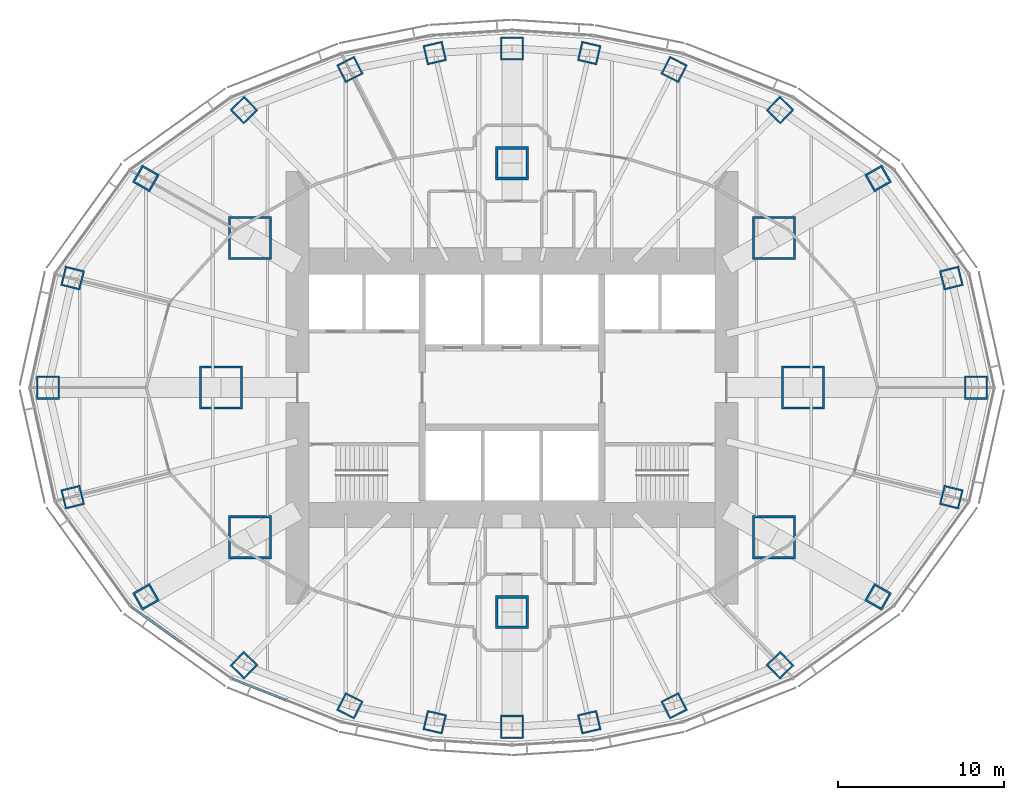
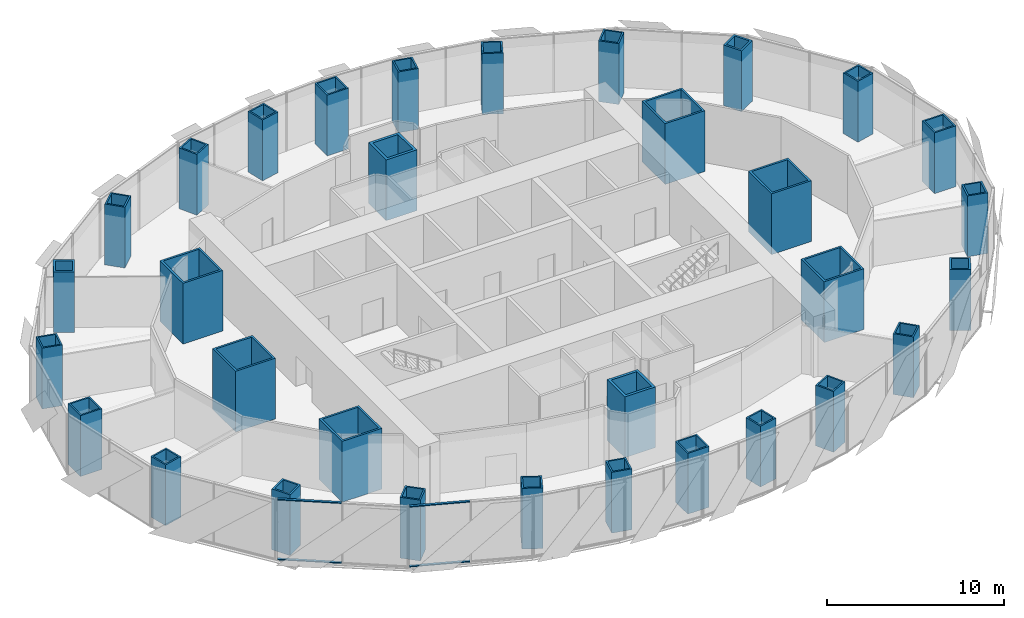
# One storey, part 1 of 17: 32 columns, 4 members, 2 elements without a shape of their own.
"""IFC4 building model written with IfcOpenShell, lengths in metres."""

import ifcopenshell
import ifcopenshell.guid

model = None  # the IFC model being written
_history = None  # IfcOwnerHistory: only IFC2X3 demands one
_inside = {}  # id of a spatial element -> (the spatial element, [elements in it])
_under = {}  # id of a project, library or spatial element -> (it, [spatial elements below it])
_declared = {}  # id of a project -> (the project, [libraries it declares])
_typed = {}  # id of a type object -> (the type object, [elements of that type])
_made_of = {}  # id of a material, layer set ... -> (it, [elements and type objects made of it])


def new_model(schema):
    """Start an empty IFC model of exactly this schema.

    Asked for "IFC4X3", IfcOpenShell would pick the latest addendum, in which some entities
    have other attributes; the version numbers below select the first issue.
    IFC2X3 requires an IfcOwnerHistory on every rooted entity: one is made here for all.
    """
    global model, _history
    if schema == "IFC4X3":
        model = ifcopenshell.file(schema_version=(4, 3, 0, 0))
    else:
        model = ifcopenshell.file(schema=schema)
    _inside.clear()
    _under.clear()
    _declared.clear()
    _typed.clear()
    _made_of.clear()
    _history = None
    if model.schema == "IFC2X3":
        org = make("IfcOrganization", Name="unknown")
        user = make(
            "IfcPersonAndOrganization",
            ThePerson=make("IfcPerson", FamilyName="unknown"),
            TheOrganization=org,
        )
        app = make(
            "IfcApplication",
            ApplicationDeveloper=org,
            Version="unknown",
            ApplicationFullName="unknown",
            ApplicationIdentifier="unknown",
        )
        _history = make(
            "IfcOwnerHistory",
            OwningUser=user,
            OwningApplication=app,
            ChangeAction="ADDED",
            CreationDate=0,
        )
    return model


def make(cls, **values):
    """One entity of the class cls with the attributes given. An attribute that is None is left unset."""
    return model.create_entity(
        cls, **{name: value for name, value in values.items() if value is not None}
    )


def rooted(cls, **values):
    """An entity with a GlobalId (a new one), such as an element, a storey or a relation."""
    return make(cls, GlobalId=ifcopenshell.guid.new(), OwnerHistory=_history, **values)


def si_unit(unit_type, name, prefix=None):
    """IfcSIUnit, for example si_unit("LENGTHUNIT", "METRE", prefix="MILLI")."""
    return make("IfcSIUnit", UnitType=unit_type, Prefix=prefix, Name=name)


def assignment(units):
    """IfcUnitAssignment: the units of a project."""
    return None if units is None else make("IfcUnitAssignment", Units=units)


def point(xyz):
    """IfcCartesianPoint."""
    return None if xyz is None else make("IfcCartesianPoint", Coordinates=xyz)


def direction(xyz):
    """IfcDirection."""
    return None if xyz is None else make("IfcDirection", DirectionRatios=xyz)


def frame(location, z_axis=None, x_axis=None):
    """IfcAxis2Placement3D, a coordinate frame: its origin and axes. An axis left out is left unset."""
    return make(
        "IfcAxis2Placement3D",
        Location=point(location),
        Axis=direction(z_axis),
        RefDirection=direction(x_axis),
    )


def frame_2d(location, x_axis=None):
    """IfcAxis2Placement2D, a coordinate frame in the plane: its origin and x axis."""
    return make(
        "IfcAxis2Placement2D", Location=point(location), RefDirection=direction(x_axis)
    )


def origin():
    """The frame at (0, 0, 0) with its axes left unset."""
    return frame((0.0, 0.0, 0.0))


def origin_2d():
    """The frame at (0, 0) in the plane with its x axis left unset."""
    return frame_2d((0.0, 0.0))


def place(relative_to, where):
    """IfcLocalPlacement: puts the frame where relative to a parent placement (None: the world)."""
    return make(
        "IfcLocalPlacement", PlacementRelTo=relative_to, RelativePlacement=where
    )


def context(
    kind, dimensions, precision=None, world=None, true_north=None, identifier=None
):
    """IfcGeometricRepresentationContext, for example the 3D "Model" context."""
    return make(
        "IfcGeometricRepresentationContext",
        ContextIdentifier=identifier,
        ContextType=kind,
        CoordinateSpaceDimension=dimensions,
        Precision=precision,
        WorldCoordinateSystem=world,
        TrueNorth=true_north,
    )


def subcontext(parent, identifier, kind, view, scale=None):
    """IfcGeometricRepresentationSubContext, for example "Body" below "Model"."""
    return make(
        "IfcGeometricRepresentationSubContext",
        ContextIdentifier=identifier,
        ContextType=kind,
        ParentContext=parent,
        TargetScale=scale,
        TargetView=view,
    )


def project(units=None, contexts=None):
    """IfcProject with its units and contexts."""
    return rooted(
        "IfcProject",
        Name="project",
        RepresentationContexts=contexts,
        UnitsInContext=assignment(units),
    )


def spatial(cls, under=None, at=None, **own):
    """A site, building, storey or space (cls), placed at a placement, below another one or the project."""
    s = rooted(cls, ObjectPlacement=at, **own)
    if under is not None:
        _under.setdefault(under.id(), (under, []))[1].append(s)
    return s


def profile(cls, at=None, kind="AREA", **sizes):
    """A parametric profile (cls). Its sizes go by their IFC names, for example OverallWidth=200.0."""
    return make(cls, ProfileType=kind, Position=at, **sizes)


def rectangle(**sizes):
    """IfcRectangleProfileDef."""
    return profile("IfcRectangleProfileDef", **sizes)


def hollow_rectangle(**sizes):
    """IfcRectangleHollowProfileDef."""
    return profile("IfcRectangleHollowProfileDef", **sizes)


def extrude(swept, where, along, depth):
    """IfcExtrudedAreaSolid: the profile swept, set in the frame where, extruded along a direction by depth."""
    return make(
        "IfcExtrudedAreaSolid",
        SweptArea=swept,
        Position=where,
        ExtrudedDirection=direction(along),
        Depth=depth,
    )


def shape(context_of_items, identifier, shape_type, items):
    """IfcShapeRepresentation: the items that make up one representation, for example the "Body"."""
    return make(
        "IfcShapeRepresentation",
        ContextOfItems=context_of_items,
        RepresentationIdentifier=identifier,
        RepresentationType=shape_type,
        Items=items,
    )


def material(Name=None, Category=None):
    """IfcMaterial."""
    return make("IfcMaterial", Name=Name, Category=Category)


def material_profile(
    of_material, cross_section, Name=None, Category=None, Priority=None
):
    """IfcMaterialProfile: a cross section and its material."""
    return make(
        "IfcMaterialProfile",
        Name=Name,
        Material=of_material,
        Profile=cross_section,
        Priority=Priority,
        Category=Category,
    )


def profile_set(profiles, Name=None, composite=None):
    """IfcMaterialProfileSet."""
    return make(
        "IfcMaterialProfileSet",
        Name=Name,
        MaterialProfiles=profiles,
        CompositeProfile=composite,
    )


def made_of(thing, what):
    """Note that an element or type object is made of a material, layer set ...; save() writes the relation."""
    if what is not None:
        _made_of.setdefault(what.id(), (what, []))[1].append(thing)
    return thing


def type_object(cls, material=None, **own):
    """A type object (cls), such as IfcWallType, which elements share."""
    return made_of(rooted(cls, **own), material)


def element(
    cls,
    number,
    at=None,
    inside=None,
    cuts=None,
    type_object=None,
    material=None,
    context=None,
    identifier="Body",
    shape_type=None,
    held_by="IfcProductDefinitionShape",
    body=None,
    shapes=None,
    **own,
):
    """One element of the class cls, such as IfcWall. Its Tag is "e" and its number.

    at: its placement. inside: the storey or other place that contains it. cuts: it is an
    opening in that element (IfcRelVoidsElement). A single representation is given by context,
    identifier, shape_type and body (its items); several are given by shapes. held_by: the class
    of the entity that holds the representations. save() writes the other relations.
    """
    e = rooted(cls, Tag="e%d" % number, ObjectPlacement=at, **own)
    if body is not None:
        shapes = [shape(context, identifier, shape_type, body)]
    if shapes is not None:
        e.Representation = make(held_by, Representations=shapes)
    if inside is not None:
        _inside.setdefault(inside.id(), (inside, []))[1].append(e)
    if cuts is not None:
        rooted(
            "IfcRelVoidsElement", RelatingBuildingElement=cuts, RelatedOpeningElement=e
        )
    if type_object is not None:
        _typed.setdefault(type_object.id(), (type_object, []))[1].append(e)
    return made_of(e, material)


def aggregate(whole, parts):
    """IfcRelAggregates: a whole, such as a stair, and the parts it consists of."""
    return rooted("IfcRelAggregates", RelatingObject=whole, RelatedObjects=parts)


def save(model, path):
    """Write the relations noted so far, then the file.

    IfcRelAggregates (storeys below a building ...), IfcRelContainedInSpatialStructure (elements
    in a storey), IfcRelDefinesByType, IfcRelAssociatesMaterial and IfcRelDeclares: one each for
    every whole, place, type object, material and project.
    """
    for whole, parts in _under.values():
        aggregate(whole, parts)
    for where, things in _inside.values():
        rooted(
            "IfcRelContainedInSpatialStructure",
            RelatedElements=things,
            RelatingStructure=where,
        )
    for kind, things in _typed.values():
        rooted("IfcRelDefinesByType", RelatedObjects=things, RelatingType=kind)
    for what, things in _made_of.values():
        rooted("IfcRelAssociatesMaterial", RelatedObjects=things, RelatingMaterial=what)
    for by, libraries in _declared.values():
        rooted("IfcRelDeclares", RelatingContext=by, RelatedDefinitions=libraries)
    model.write(path)


model = new_model("IFC4")

# Units and contexts
model_context = context("Model", 3, precision=1e-05, world=origin(), true_north=direction((0.0, 1.0)))
body_context = subcontext(model_context, "Body", "Model", "MODEL_VIEW")
ifc_project = project(units=[si_unit("LENGTHUNIT", "METRE"), si_unit("AREAUNIT", "SQUARE_METRE"), si_unit("VOLUMEUNIT", "CUBIC_METRE"), si_unit("PLANEANGLEUNIT", "RADIAN"), si_unit("MASSUNIT", "GRAM", prefix="KILO")], contexts=[model_context])

# Site, building, storey
site_placement = place(None, origin())
site = spatial("IfcSite", under=ifc_project, at=site_placement, CompositionType="ELEMENT")
building_placement = place(site_placement, origin())
building = spatial("IfcBuilding", under=site, at=building_placement, Name="Lantaw Convention Tower", CompositionType="ELEMENT")
storey_placement = place(building_placement, frame((0.0, 0.0, 117.39990234375)))
storey = spatial("IfcBuildingStorey", under=building, at=storey_placement, Name="L27", CompositionType="ELEMENT", Elevation=117.39990234375)

# Columns
ifc_material_1 = material(Name="Steel EN 10025-3 S460N", Category="steel")
ifc_material_profile_1 = material_profile(ifc_material_1, hollow_rectangle(XDim=2.0, YDim=2.0, WallThickness=0.169921875, at=origin_2d()), Name="BOX2000X170")
ifc_material_2 = material(Name="Concrete C60/75", Category="concrete")
ifc_material_profile_2 = material_profile(ifc_material_2, rectangle(XDim=1.659912109375, YDim=1.659912109375, at=origin_2d()), Name="Concrete fill of BOX2000X170")
ifc_profile_set_1 = profile_set([ifc_material_profile_1, ifc_material_profile_2], Name="Steel EN 10025-3 S460N")
column_type_1 = type_object("IfcColumnType", Name="Column MC BOX2000X170", PredefinedType="COLUMN", material=ifc_profile_set_1)
for number, where, z_axis, x_axis, name in (
    (1, (0.0, 13.5, 0.0), (0.0, 0.0, 1.0), (1.0, 0.0, 0.0), "Mega column M3"),
    (2, (0.0, -13.5, 0.0), (0.0, 0.0, 1.0), (1.0, 0.0, 0.0), "Mega column M7"),
):
    element("IfcColumn", number, at=place(storey_placement, frame(where, z_axis=z_axis, x_axis=x_axis)), inside=storey, type_object=column_type_1, Name=name, PredefinedType="COLUMN", context=body_context, shape_type="SweptSolid", body=[
        extrude(hollow_rectangle(XDim=2.0, YDim=2.0, WallThickness=0.169921875, at=origin_2d()), origin(), (0.0, 0.0, 1.0), 4.2001953125),
    ])
ifc_material_profile_3 = material_profile(ifc_material_1, hollow_rectangle(XDim=2.60009765625, YDim=2.60009765625, WallThickness=0.1298828125, at=origin_2d()), Name="BOX2600X130")
ifc_material_profile_4 = material_profile(ifc_material_2, rectangle(XDim=2.340087890625, YDim=2.340087890625, at=origin_2d()), Name="Concrete fill of BOX2600X130")
ifc_profile_set_2 = profile_set([ifc_material_profile_3, ifc_material_profile_4], Name="Steel EN 10025-3 S460N")
column_type_2 = type_object("IfcColumnType", Name="Column MC BOX2600X130", PredefinedType="COLUMN", material=ifc_profile_set_2)
for number, where, z_axis, x_axis, name in (
    (3, (17.5, 0.0, 0.0), (0.0, 0.0, 1.0), (1.0, 0.0, 0.0), "Mega column M1"),
    (4, (15.75, 9.0, 0.0), (0.0, 0.0, 1.0), (1.0, 0.0, 0.0), "Mega column M2"),
    (5, (-15.75, 9.0, 0.0), (0.0, 0.0, 1.0), (1.0, 0.0, 0.0), "Mega column M4"),
    (6, (-17.5, 0.0, 0.0), (0.0, 0.0, 1.0), (1.0, 0.0, 0.0), "Mega column M5"),
    (7, (-15.75, -9.0, 0.0), (0.0, 0.0, 1.0), (1.0, 0.0, 0.0), "Mega column M6"),
    (8, (15.75, -9.0, 0.0), (0.0, 0.0, 1.0), (1.0, 0.0, 0.0), "Mega column M8"),
):
    element("IfcColumn", number, at=place(storey_placement, frame(where, z_axis=z_axis, x_axis=x_axis)), inside=storey, type_object=column_type_2, Name=name, PredefinedType="COLUMN", context=body_context, shape_type="SweptSolid", body=[
        extrude(hollow_rectangle(XDim=2.60009765625, YDim=2.60009765625, WallThickness=0.1298828125, at=origin_2d()), origin(), (0.0, 0.0, 1.0), 4.2001953125),
    ])
ifc_material_profile_5 = material_profile(ifc_material_1, hollow_rectangle(XDim=1.199951171875, YDim=1.199951171875, WallThickness=0.10009765625, at=origin_2d()), Name="BOX1200X100")
ifc_material_profile_6 = material_profile(ifc_material_2, rectangle(XDim=1.0, YDim=1.0, at=origin_2d()), Name="Concrete fill of BOX1200X100")
ifc_profile_set_3 = profile_set([ifc_material_profile_5, ifc_material_profile_6], Name="Steel EN 10025-3 S460N")
column_type_3 = type_object("IfcColumnType", Name="Column PC BOX1200X100", PredefinedType="COLUMN", material=ifc_profile_set_3)
for number, where, z_axis, x_axis, name in (
    (9, (26.419921875, 6.587158203125, 0.0), (0.0, 0.0, 1.0), (0.970295726276, 0.2419218956, 0.0), "Perimeter column P2"),
    (10, (16.11767578125, 16.690185546875, 0.0), (0.0, 0.0, 1.0), (0.694658370459, 0.719339800339, 0.0), "Perimeter column P4"),
    (11, (9.74853515625, 19.1328125, 0.0), (0.0, 0.0, 1.0), (0.45399049974, 0.891006524188, 0.0), "Perimeter column P5"),
    (12, (4.64501953125, 20.1201171875, 0.0), (0.0, 0.0, 1.0), (0.224951054344, 0.974370064785, 0.0), "Perimeter column P6"),
    (13, (-4.64501953125, 20.1201171875, 0.0), (0.0, 0.0, 1.0), (0.974370064785, 0.224951054344, 0.0), "Perimeter column P8"),
    (14, (-9.74853515625, 19.1328125, 0.0), (0.0, 0.0, 1.0), (0.891006524188, 0.45399049974, 0.0), "Perimeter column P9"),
    (15, (-16.11767578125, 16.690185546875, 0.0), (0.0, 0.0, 1.0), (0.719339800339, 0.694658370459, 0.0), "Perimeter column P10"),
    (16, (-26.419921875, 6.587158203125, 0.0), (0.0, 0.0, 1.0), (0.2419218956, 0.970295726276, 0.0), "Perimeter column P12"),
    (17, (-26.419921875, -6.587158203125, 0.0), (0.0, 0.0, 1.0), (0.970295726276, 0.2419218956, 0.0), "Perimeter column P14"),
    (18, (-16.11767578125, -16.690185546875, 0.0), (0.0, 0.0, 1.0), (0.694658370459, 0.719339800339, 0.0), "Perimeter column P16"),
    (19, (-9.74853515625, -19.1328125, 0.0), (0.0, 0.0, 1.0), (0.45399049974, 0.891006524188, 0.0), "Perimeter column P17"),
    (20, (-4.64501953125, -20.1201171875, 0.0), (0.0, 0.0, 1.0), (0.224951054344, 0.974370064785, 0.0), "Perimeter column P18"),
    (21, (4.64501953125, -20.1201171875, 0.0), (0.0, 0.0, 1.0), (0.974370064785, 0.224951054344, 0.0), "Perimeter column P20"),
    (22, (9.74853515625, -19.1328125, 0.0), (0.0, 0.0, 1.0), (0.891006524188, 0.45399049974, 0.0), "Perimeter column P21"),
    (23, (16.11767578125, -16.690185546875, 0.0), (0.0, 0.0, 1.0), (0.719339800339, 0.694658370459, 0.0), "Perimeter column P22"),
    (24, (26.419921875, -6.587158203125, 0.0), (0.0, 0.0, 1.0), (0.2419218956, 0.970295726276, 0.0), "Perimeter column P24"),
):
    element("IfcColumn", number, at=place(storey_placement, frame(where, z_axis=z_axis, x_axis=x_axis)), inside=storey, type_object=column_type_3, Name=name, PredefinedType="COLUMN", context=body_context, shape_type="SweptSolid", body=[
        extrude(hollow_rectangle(XDim=1.199951171875, YDim=1.199951171875, WallThickness=0.10009765625, at=origin_2d()), origin(), (0.0, 0.0, 1.0), 4.2001953125),
    ])
ifc_material_profile_7 = material_profile(ifc_material_1, hollow_rectangle(XDim=1.199951171875, YDim=1.199951171875, WallThickness=0.1201171875, at=origin_2d()), Name="BOX1200X120")
ifc_material_profile_8 = material_profile(ifc_material_2, rectangle(XDim=0.9599609375, YDim=0.9599609375, at=origin_2d()), Name="Concrete fill of BOX1200X120")
ifc_profile_set_4 = profile_set([ifc_material_profile_7, ifc_material_profile_8], Name="Steel EN 10025-3 S460N")
column_type_4 = type_object("IfcColumnType", Name="Column PC BOX1200X120", PredefinedType="COLUMN", material=ifc_profile_set_4)
for number, where, z_axis, x_axis, name in (
    (25, (22.013916015625, 12.579345703125, 0.0), (0.0, 0.0, 1.0), (0.86824298017, 0.496139221777, 0.0), "Perimeter column P3"),
    (26, (-22.013916015625, 12.579345703125, 0.0), (0.0, 0.0, 1.0), (0.496139221777, 0.86824298017, 0.0), "Perimeter column P11"),
    (27, (-22.013916015625, -12.579345703125, 0.0), (0.0, 0.0, 1.0), (0.86824298017, 0.496139221777, 0.0), "Perimeter column P15"),
    (28, (22.013916015625, -12.579345703125, 0.0), (0.0, 0.0, 1.0), (0.496139221777, 0.86824298017, 0.0), "Perimeter column P23"),
):
    element("IfcColumn", number, at=place(storey_placement, frame(where, z_axis=z_axis, x_axis=x_axis)), inside=storey, type_object=column_type_4, Name=name, PredefinedType="COLUMN", context=body_context, shape_type="SweptSolid", body=[
        extrude(hollow_rectangle(XDim=1.199951171875, YDim=1.199951171875, WallThickness=0.1201171875, at=origin_2d()), origin(), (0.0, 0.0, 1.0), 4.2001953125),
    ])
ifc_material_profile_9 = material_profile(ifc_material_1, hollow_rectangle(XDim=1.39990234375, YDim=1.39990234375, WallThickness=0.10009765625, at=origin_2d()), Name="BOX1400X100")
ifc_material_profile_10 = material_profile(ifc_material_2, rectangle(XDim=1.199951171875, YDim=1.199951171875, at=origin_2d()), Name="Concrete fill of BOX1400X100")
ifc_profile_set_5 = profile_set([ifc_material_profile_9, ifc_material_profile_10], Name="Steel EN 10025-3 S460N")
column_type_5 = type_object("IfcColumnType", Name="Column PC BOX1400X100", PredefinedType="COLUMN", material=ifc_profile_set_5)
for number, where, z_axis, x_axis, name in (
    (29, (27.89990234375, 0.0, 0.0), (0.0, 0.0, 1.0), (1.0, 0.0, 0.0), "Perimeter column P1"),
    (30, (0.0, 20.39990234375, 0.0), (0.0, 0.0, 1.0), (1.0, 0.0, 0.0), "Perimeter column P7"),
    (31, (-27.89990234375, 0.0, 0.0), (0.0, 0.0, 1.0), (1.0, 0.0, 0.0), "Perimeter column P13"),
    (32, (0.0, -20.39990234375, 0.0), (0.0, 0.0, 1.0), (1.0, 0.0, 0.0), "Perimeter column P19"),
):
    element("IfcColumn", number, at=place(storey_placement, frame(where, z_axis=z_axis, x_axis=x_axis)), inside=storey, type_object=column_type_5, Name=name, PredefinedType="COLUMN", context=body_context, shape_type="SweptSolid", body=[
        extrude(hollow_rectangle(XDim=1.39990234375, YDim=1.39990234375, WallThickness=0.10009765625, at=origin_2d()), origin(), (0.0, 0.0, 1.0), 4.2001953125),
    ])

# Curtain wall, members
ifc_material_3 = material(Name="Aluminium framed curtain wall", Category="aluminium")
curtain_wall_type = type_object("IfcCurtainWallType", Name="Office curtain wall low rise, pale aluminium", PredefinedType="USERDEFINED", material=ifc_material_3)
curtain_wall_1_placement = place(storey_placement, origin())
curtain_wall_1 = element("IfcCurtainWall", 33, at=curtain_wall_1_placement, inside=storey, type_object=curtain_wall_type, Name="Office curtain wall low rise, pale aluminium L27", ObjectType="UNITISED CURTAIN WALL", PredefinedType="USERDEFINED")
ifc_material_4 = material(Name="Aluminium 6063-T6", Category="aluminium")
ifc_material_profile_11 = material_profile(ifc_material_4, rectangle(XDim=0.159912109375, YDim=0.06494140625, at=origin_2d()), Name="CW-O1 transom 65x160")
ifc_profile_set_6 = profile_set([ifc_material_profile_11], Name="Aluminium 6063-T6")
member_type = type_object("IfcMemberType", Name="CW-O1 transom 65x160", PredefinedType="USERDEFINED", material=ifc_profile_set_6)
member_1_placement = place(storey_placement, frame((-22.916259765625, -13.1630859375, -0.117431640625), z_axis=(0.813221785972, -0.581953887194, 0.0), x_axis=(0.581953887194, 0.813221785972, 0.0)))
member_1 = element("IfcMember", 34, at=member_1_placement, type_object=member_type, Name="CW-O1 transom 1.1", ObjectType="TRANSOM", PredefinedType="USERDEFINED", context=body_context, shape_type="SweptSolid", body=[
    extrude(rectangle(XDim=0.159912109375, YDim=0.06494140625, at=origin_2d()), origin(), (0.0, 0.0, 1.0), 3.645263671875),
])
member_2_placement = place(storey_placement, frame((-22.916259765625, -13.1630859375, 4.017578125), z_axis=(0.813221785972, -0.581953887194, 0.0), x_axis=(0.581953887194, 0.813221785972, 0.0)))
member_2 = element("IfcMember", 35, at=member_2_placement, type_object=member_type, Name="CW-O1 transom 1.2", ObjectType="TRANSOM", PredefinedType="USERDEFINED", context=body_context, shape_type="SweptSolid", body=[
    extrude(rectangle(XDim=0.159912109375, YDim=0.06494140625, at=origin_2d()), origin(), (0.0, 0.0, 1.0), 3.645263671875),
])
aggregate(curtain_wall_1, [member_1, member_2])

curtain_wall_2_placement = place(storey_placement, origin())
curtain_wall_2 = element("IfcCurtainWall", 36, at=curtain_wall_2_placement, inside=storey, type_object=curtain_wall_type, Name="Office curtain wall low rise, pale aluminium L27", ObjectType="UNITISED CURTAIN WALL", PredefinedType="USERDEFINED")
member_3_placement = place(storey_placement, frame((-16.8212890625, -17.505615234375, -0.117431640625), z_axis=(0.929564188507, -0.368660303592, 0.0), x_axis=(0.368660303592, 0.929564188507, 0.0)))
member_3 = element("IfcMember", 37, at=member_3_placement, type_object=member_type, Name="CW-O1 transom 1.1", ObjectType="TRANSOM", PredefinedType="USERDEFINED", context=body_context, shape_type="SweptSolid", body=[
    extrude(rectangle(XDim=0.159912109375, YDim=0.06494140625, at=origin_2d()), origin(), (0.0, 0.0, 1.0), 3.470703125),
])
member_4_placement = place(storey_placement, frame((-16.8212890625, -17.505615234375, 4.017578125), z_axis=(0.929564188507, -0.368660303592, 0.0), x_axis=(0.368660303592, 0.929564188507, 0.0)))
member_4 = element("IfcMember", 38, at=member_4_placement, type_object=member_type, Name="CW-O1 transom 1.2", ObjectType="TRANSOM", PredefinedType="USERDEFINED", context=body_context, shape_type="SweptSolid", body=[
    extrude(rectangle(XDim=0.159912109375, YDim=0.06494140625, at=origin_2d()), origin(), (0.0, 0.0, 1.0), 3.470703125),
])
aggregate(curtain_wall_2, [member_3, member_4])

save(model, "model.ifc")
